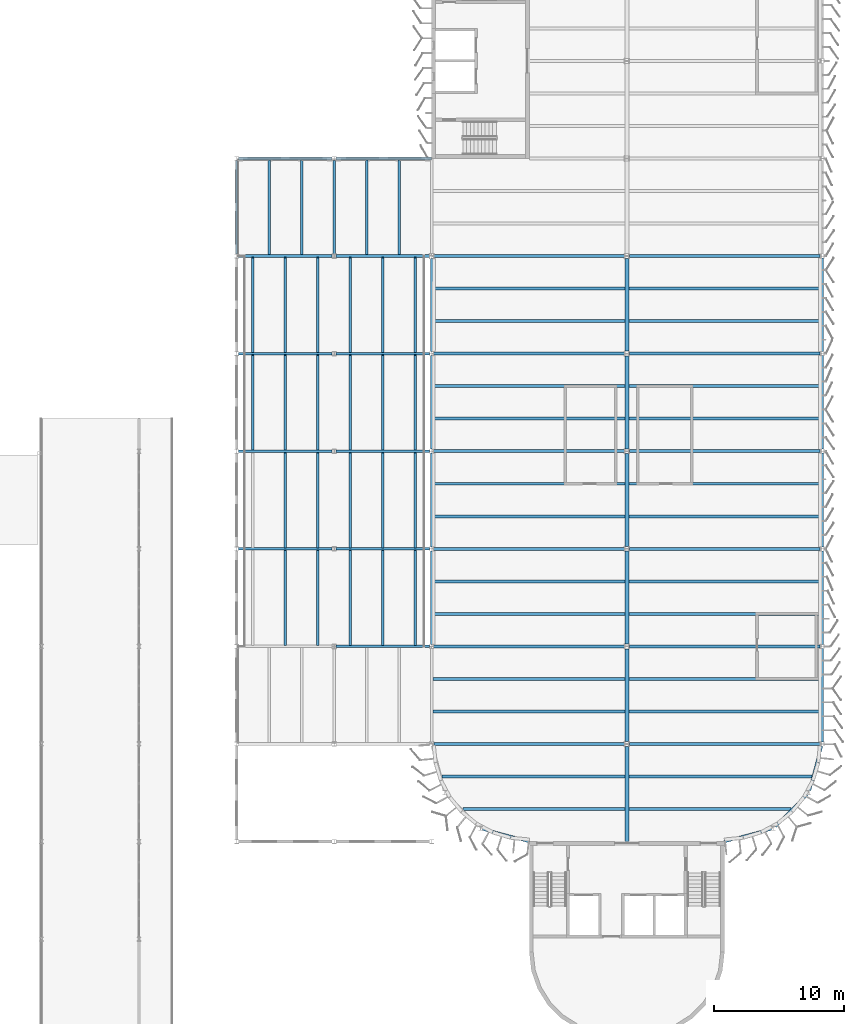
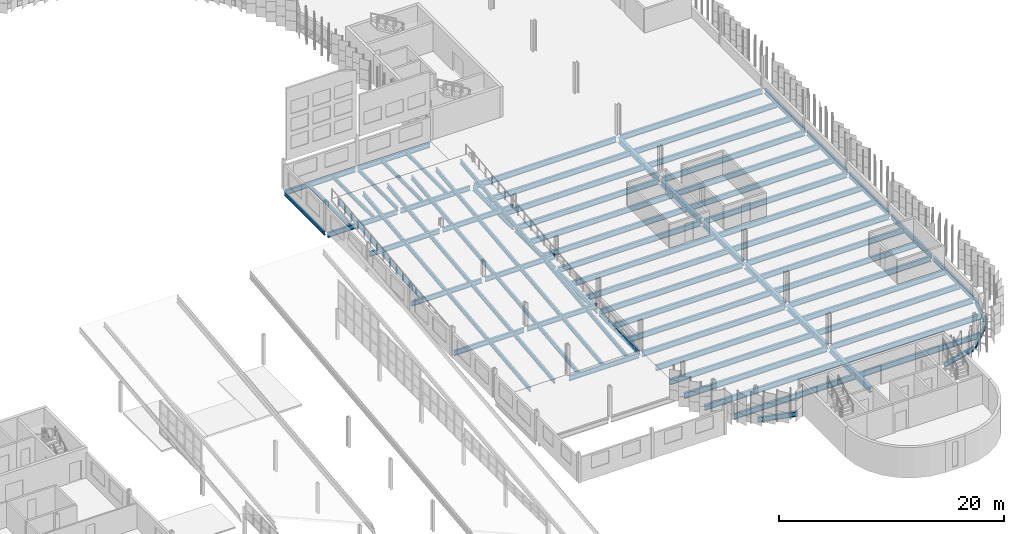
# One storey, part 42 of 199: 94 beams.
"""IFC4 building model written with IfcOpenShell, lengths in metres."""

from ifc_helpers import new_model, si_unit, direction, frame, origin, origin_2d, place, context, subcontext, project, spatial, i_section, extrude, material, material_profile, profile_set, type_object, element, save


model = new_model("IFC4")

# Units and contexts
model_context = context("Model", 3, precision=1e-05, world=origin(), true_north=direction((0.0, 1.0)))
body_context = subcontext(model_context, "Body", "Model", "MODEL_VIEW")
ifc_project = project(units=[si_unit("LENGTHUNIT", "METRE"), si_unit("AREAUNIT", "SQUARE_METRE"), si_unit("VOLUMEUNIT", "CUBIC_METRE"), si_unit("PLANEANGLEUNIT", "RADIAN"), si_unit("MASSUNIT", "GRAM", prefix="KILO")], contexts=[model_context])

# Site, building, storey
site_placement = place(None, origin())
site = spatial("IfcSite", under=ifc_project, at=site_placement, CompositionType="ELEMENT")
building_placement = place(site_placement, origin())
building = spatial("IfcBuilding", under=site, at=building_placement, Name="Parallax Yard Mobility Hub", CompositionType="ELEMENT")
storey_placement = place(building_placement, frame((0.0, 0.0, 9.89990234375)))
storey = spatial("IfcBuildingStorey", under=building, at=storey_placement, Name="L03", CompositionType="ELEMENT", Elevation=9.89990234375)

# Beams
ifc_material = material(Name="Steel ASTM A992", Category="steel")
ifc_material_profile_1 = material_profile(ifc_material, i_section(OverallWidth=0.177978515625, OverallDepth=0.406005859375, WebThickness=0.0078125, FlangeThickness=0.0126953125, FilletRadius=0.01025390625, at=origin_2d()), Name="W410x60")
ifc_profile_set_1 = profile_set([ifc_material_profile_1], Name="Steel ASTM A992")
beam_type_1 = type_object("IfcBeamType", Name="W410x60 edge beam", PredefinedType="SPANDREL", material=ifc_profile_set_1)
beam_1_placement = place(storey_placement, frame((180.0, 67.653564453125, -0.343017578125), z_axis=(0.0, 1.0, 0.0), x_axis=(-1.0, 0.0, 0.0)))
element("IfcBeam", 1, at=beam_1_placement, inside=storey, type_object=beam_type_1, Name="Edge beam SB1 level L03, line 25 of ramp house, span 2", PredefinedType="SPANDREL", context=body_context, shape_type="SweptSolid", body=[
    extrude(i_section(OverallWidth=0.177978515625, OverallDepth=0.406005859375, WebThickness=0.0078125, FlangeThickness=0.0126953125, FilletRadius=0.01025390625, at=origin_2d()), origin(), (0.0, 0.0, 1.0), 7.19287109375),
])
ifc_material_profile_2 = material_profile(ifc_material, i_section(OverallWidth=0.177978515625, OverallDepth=0.406005859375, WebThickness=0.0078125, FlangeThickness=0.0126953125, FilletRadius=0.01025390625, at=origin_2d()), Name="W410x60")
ifc_profile_set_2 = profile_set([ifc_material_profile_2], Name="Steel ASTM A992")
beam_type_2 = type_object("IfcBeamType", Name="W410x60 longitudinal beam", PredefinedType="BEAM", material=ifc_profile_set_2)
beam_2_placement = place(storey_placement, frame((187.5, 67.6640625, -0.343017578125), z_axis=(0.0, 1.0, 0.0), x_axis=(-1.0, 0.0, 0.0)))
element("IfcBeam", 2, at=beam_2_placement, inside=storey, type_object=beam_type_2, Name="Longitudinal beam SB2 level L03, line 26 of ramp house, span 2", PredefinedType="BEAM", context=body_context, shape_type="SweptSolid", body=[
    extrude(i_section(OverallWidth=0.177978515625, OverallDepth=0.406005859375, WebThickness=0.0078125, FlangeThickness=0.0126953125, FilletRadius=0.01025390625, at=origin_2d()), origin(), (0.0, 0.0, 1.0), 7.182373046875),
])
ifc_material_profile_3 = material_profile(ifc_material, i_section(OverallWidth=0.177978515625, OverallDepth=0.406005859375, WebThickness=0.0078125, FlangeThickness=0.0126953125, FilletRadius=0.01025390625, at=origin_2d()), Name="W410x60")
ifc_profile_set_3 = profile_set([ifc_material_profile_3], Name="Steel ASTM A992")
beam_type_3 = type_object("IfcBeamType", Name="W410x60 secondary beam", PredefinedType="JOIST", material=ifc_profile_set_3)
for number, where, z_axis, x_axis, name in (
    (3, (182.5, 67.6044921875, -0.343017578125), (0.0, 1.0, 0.0), (-1.0, 0.0, 0.0), "Secondary beam B1 level L03, 2.5 m east of line 25 of ramp house, span 2"),
    (4, (190.0, 67.6044921875, -0.343017578125), (0.0, 1.0, 0.0), (-1.0, 0.0, 0.0), "Secondary beam B1 level L03, 2.5 m east of line 26 of ramp house, span 2"),
    (5, (185.0, 67.6044921875, -0.343017578125), (0.0, 1.0, 0.0), (-1.0, 0.0, 0.0), "Secondary beam B1 level L03, 5 m east of line 25 of ramp house, span 2"),
    (6, (192.5, 67.6044921875, -0.343017578125), (0.0, 1.0, 0.0), (-1.0, 0.0, 0.0), "Secondary beam B1 level L03, 5 m east of line 26 of ramp house, span 2"),
):
    element("IfcBeam", number, at=place(storey_placement, frame(where, z_axis=z_axis, x_axis=x_axis)), inside=storey, type_object=beam_type_3, Name=name, PredefinedType="JOIST", context=body_context, shape_type="SweptSolid", body=[
        extrude(i_section(OverallWidth=0.177978515625, OverallDepth=0.406005859375, WebThickness=0.0078125, FlangeThickness=0.0126953125, FilletRadius=0.01025390625, at=origin_2d()), origin(), (0.0, 0.0, 1.0), 7.291015625),
    ])
ifc_material_profile_4 = material_profile(ifc_material, i_section(OverallWidth=0.19091796875, OverallDepth=0.45703125, WebThickness=0.009033203125, FlangeThickness=0.014404296875, FilletRadius=0.01025390625, at=origin_2d()), Name="W460x74")
ifc_profile_set_4 = profile_set([ifc_material_profile_4], Name="Steel ASTM A992")
beam_type_4 = type_object("IfcBeamType", Name="W460x74 ramp beam", PredefinedType="JOIST", material=ifc_profile_set_4)
for number, where, z_axis, x_axis, name in (
    (7, (181.25, 52.6044921875, 1.231689453125), (0.0, 0.994004500635, 0.109339163695), (-1.0, 0.0, 0.0), "Ramp beam RJ1 level L03, ramp RP4 of ramp house, span 3"),
    (8, (181.25, 60.1044921875, 2.056640625), (0.0, 0.994004500635, 0.109339163695), (-1.0, 0.0, 0.0), "Ramp beam RJ1 level L03, ramp RP4 of ramp house, span 4"),
    (9, (183.75, 37.6044921875, -0.418212890625), (0.0, 0.994004500635, 0.109339163695), (-1.0, 0.0, 0.0), "Ramp beam RJ1 level L03, ramp RP4 of ramp house, span 5"),
    (10, (183.75, 45.1044921875, 0.40673828125), (0.0, 0.994004500635, 0.109339163695), (-1.0, 0.0, 0.0), "Ramp beam RJ1 level L03, ramp RP4 of ramp house, span 6"),
    (11, (183.75, 52.6044921875, 1.231689453125), (0.0, 0.994004500635, 0.109339163695), (-1.0, 0.0, 0.0), "Ramp beam RJ1 level L03, ramp RP4 of ramp house, span 7"),
    (12, (183.75, 60.1044921875, 2.056640625), (0.0, 0.994004500635, 0.109339163695), (-1.0, 0.0, 0.0), "Ramp beam RJ1 level L03, ramp RP4 of ramp house, span 8"),
    (13, (186.25, 37.6044921875, -0.418212890625), (0.0, 0.994004500635, 0.109339163695), (-1.0, 0.0, 0.0), "Ramp beam RJ1 level L03, ramp RP4 of ramp house, span 9"),
    (14, (186.25, 45.1044921875, 0.40673828125), (0.0, 0.994004500635, 0.109339163695), (-1.0, 0.0, 0.0), "Ramp beam RJ1 level L03, ramp RP4 of ramp house, span 10"),
    (15, (186.25, 52.6044921875, 1.231689453125), (0.0, 0.994004500635, 0.109339163695), (-1.0, 0.0, 0.0), "Ramp beam RJ1 level L03, ramp RP4 of ramp house, span 11"),
    (16, (186.25, 60.1044921875, 2.056640625), (0.0, 0.994004500635, 0.109339163695), (-1.0, 0.0, 0.0), "Ramp beam RJ1 level L03, ramp RP4 of ramp house, span 12"),
    (17, (188.75, 37.6044921875, -0.418212890625), (0.0, 0.994004500635, 0.109339163695), (-1.0, 0.0, 0.0), "Ramp beam RJ1 level L03, ramp RP4 of ramp house, span 13"),
    (18, (188.75, 45.1044921875, 0.40673828125), (0.0, 0.994004500635, 0.109339163695), (-1.0, 0.0, 0.0), "Ramp beam RJ1 level L03, ramp RP4 of ramp house, span 14"),
    (19, (188.75, 52.6044921875, 1.231689453125), (0.0, 0.994004500635, 0.109339163695), (-1.0, 0.0, 0.0), "Ramp beam RJ1 level L03, ramp RP4 of ramp house, span 15"),
    (20, (188.75, 60.1044921875, 2.056640625), (0.0, 0.994004500635, 0.109339163695), (-1.0, 0.0, 0.0), "Ramp beam RJ1 level L03, ramp RP4 of ramp house, span 16"),
    (21, (191.25, 37.6044921875, -0.418212890625), (0.0, 0.994004500635, 0.109339163695), (-1.0, 0.0, 0.0), "Ramp beam RJ1 level L03, ramp RP4 of ramp house, span 17"),
    (22, (191.25, 45.1044921875, 0.40673828125), (0.0, 0.994004500635, 0.109339163695), (-1.0, 0.0, 0.0), "Ramp beam RJ1 level L03, ramp RP4 of ramp house, span 18"),
    (23, (191.25, 52.6044921875, 1.231689453125), (0.0, 0.994004500635, 0.109339163695), (-1.0, 0.0, 0.0), "Ramp beam RJ1 level L03, ramp RP4 of ramp house, span 19"),
    (24, (191.25, 60.1044921875, 2.056640625), (0.0, 0.994004500635, 0.109339163695), (-1.0, 0.0, 0.0), "Ramp beam RJ1 level L03, ramp RP4 of ramp house, span 20"),
    (25, (193.75, 37.6044921875, -0.418212890625), (0.0, 0.994004500635, 0.109339163695), (-1.0, 0.0, 0.0), "Ramp beam RJ1 level L03, ramp RP4 of ramp house, span 21"),
    (26, (193.75, 45.1044921875, 0.40673828125), (0.0, 0.994004500635, 0.109339163695), (-1.0, 0.0, 0.0), "Ramp beam RJ1 level L03, ramp RP4 of ramp house, span 22"),
    (27, (193.75, 52.6044921875, 1.231689453125), (0.0, 0.994004500635, 0.109339163695), (-1.0, 0.0, 0.0), "Ramp beam RJ1 level L03, ramp RP4 of ramp house, span 23"),
    (28, (193.75, 60.1044921875, 2.056640625), (0.0, 0.994004500635, 0.109339163695), (-1.0, 0.0, 0.0), "Ramp beam RJ1 level L03, ramp RP4 of ramp house, span 24"),
):
    element("IfcBeam", number, at=place(storey_placement, frame(where, z_axis=z_axis, x_axis=x_axis)), inside=storey, type_object=beam_type_4, Name=name, PredefinedType="JOIST", context=body_context, shape_type="SweptSolid", body=[
        extrude(i_section(OverallWidth=0.19091796875, OverallDepth=0.45703125, WebThickness=0.009033203125, FlangeThickness=0.014404296875, FilletRadius=0.01025390625, at=origin_2d()), origin(), (0.0, 0.0, 1.0), 7.3349609375),
    ])
ifc_material_profile_5 = material_profile(ifc_material, i_section(OverallWidth=0.208984375, OverallDepth=0.532958984375, WebThickness=0.01025390625, FlangeThickness=0.015625, FilletRadius=0.0126953125, at=origin_2d()), Name="W530x92")
ifc_profile_set_5 = profile_set([ifc_material_profile_5], Name="Steel ASTM A992")
beam_type_5 = type_object("IfcBeamType", Name="W530x92 edge beam", PredefinedType="SPANDREL", material=ifc_profile_set_5)
for number, where, z_axis, x_axis, name in (
    (29, (195.0, 37.652587890625, -0.406494140625), (0.0, 1.0, 0.0), (-1.0, 0.0, 0.0), "Edge beam SB5 level L03, line 27 of ramped parking decks, span 2"),
    (30, (195.0, 45.152587890625, -0.406494140625), (0.0, 1.0, 0.0), (-1.0, 0.0, 0.0), "Edge beam SB5 level L03, line 27 of ramped parking decks, span 3"),
    (31, (195.0, 52.652587890625, -0.406494140625), (0.0, 1.0, 0.0), (-1.0, 0.0, 0.0), "Edge beam SB5 level L03, line 27 of ramped parking decks, span 4"),
):
    element("IfcBeam", number, at=place(storey_placement, frame(where, z_axis=z_axis, x_axis=x_axis)), inside=storey, type_object=beam_type_5, Name=name, PredefinedType="SPANDREL", context=body_context, shape_type="SweptSolid", body=[
        extrude(i_section(OverallWidth=0.208984375, OverallDepth=0.532958984375, WebThickness=0.01025390625, FlangeThickness=0.015625, FilletRadius=0.0126953125, at=origin_2d()), origin(), (0.0, 0.0, 1.0), 7.19482421875),
    ])
beam_3_placement = place(storey_placement, frame((195.0, 60.152587890625, -0.406494140625), z_axis=(0.0, 1.0, 0.0), x_axis=(-1.0, 0.0, 0.0)))
element("IfcBeam", 32, at=beam_3_placement, inside=storey, type_object=beam_type_5, Name="Edge beam SB5 level L03, line 27 of ramped parking decks, span 5", PredefinedType="SPANDREL", context=body_context, shape_type="SweptSolid", body=[
    extrude(i_section(OverallWidth=0.208984375, OverallDepth=0.532958984375, WebThickness=0.01025390625, FlangeThickness=0.015625, FilletRadius=0.0126953125, at=origin_2d()), origin(), (0.0, 0.0, 1.0), 7.160888671875),
])
beam_4_placement = place(storey_placement, frame((225.0, 30.153564453125, -0.406494140625), z_axis=(0.0, 1.0, 0.0), x_axis=(-1.0, 0.0, 0.0)))
element("IfcBeam", 33, at=beam_4_placement, inside=storey, type_object=beam_type_5, Name="Edge beam SB5 level L03, line 31 of ramped parking decks, span 1", PredefinedType="SPANDREL", context=body_context, shape_type="SweptSolid", body=[
    extrude(i_section(OverallWidth=0.208984375, OverallDepth=0.532958984375, WebThickness=0.01025390625, FlangeThickness=0.015625, FilletRadius=0.0126953125, at=origin_2d()), origin(), (0.0, 0.0, 1.0), 7.19384765625),
])
for number, where, z_axis, x_axis, name in (
    (34, (225.0, 37.652587890625, -0.406494140625), (0.0, 1.0, 0.0), (-1.0, 0.0, 0.0), "Edge beam SB5 level L03, line 31 of ramped parking decks, span 2"),
    (35, (225.0, 45.152587890625, -0.406494140625), (0.0, 1.0, 0.0), (-1.0, 0.0, 0.0), "Edge beam SB5 level L03, line 31 of ramped parking decks, span 3"),
    (36, (225.0, 52.652587890625, -0.406494140625), (0.0, 1.0, 0.0), (-1.0, 0.0, 0.0), "Edge beam SB5 level L03, line 31 of ramped parking decks, span 4"),
    (37, (225.0, 60.152587890625, -0.406494140625), (0.0, 1.0, 0.0), (-1.0, 0.0, 0.0), "Edge beam SB5 level L03, line 31 of ramped parking decks, span 5"),
):
    element("IfcBeam", number, at=place(storey_placement, frame(where, z_axis=z_axis, x_axis=x_axis)), inside=storey, type_object=beam_type_5, Name=name, PredefinedType="SPANDREL", context=body_context, shape_type="SweptSolid", body=[
        extrude(i_section(OverallWidth=0.208984375, OverallDepth=0.532958984375, WebThickness=0.01025390625, FlangeThickness=0.015625, FilletRadius=0.0126953125, at=origin_2d()), origin(), (0.0, 0.0, 1.0), 7.19482421875),
    ])
for number, where, z_axis, x_axis, name in (
    (38, (198.902587890625, 23.4638671875, -0.406494140625), (0.965929617639, -0.258804895177, 0.0), (0.258804895177, 0.965929617639, 0.0), "Edge beam SB5 level L03, the south end of ramped parking decks, span 3"),
    (39, (217.5, 22.5, -0.406494140625), (0.965929617639, 0.258804895177, 0.0), (-0.258804895177, 0.965929617639, 0.0), "Edge beam SB5 level L03, the south end of ramped parking decks, span 4"),
):
    element("IfcBeam", number, at=place(storey_placement, frame(where, z_axis=z_axis, x_axis=x_axis)), inside=storey, type_object=beam_type_5, Name=name, PredefinedType="SPANDREL", context=body_context, shape_type="SweptSolid", body=[
        extrude(i_section(OverallWidth=0.208984375, OverallDepth=0.532958984375, WebThickness=0.01025390625, FlangeThickness=0.015625, FilletRadius=0.0126953125, at=origin_2d()), origin(), (0.0, 0.0, 1.0), 3.724365234375),
    ])
beam_5_placement = place(storey_placement, frame((221.402587890625, 23.6572265625, -0.406494140625), z_axis=(0.707106781187, 0.707106781187, 0.0), x_axis=(-0.707106781187, 0.707106781187, 0.0)))
element("IfcBeam", 40, at=beam_5_placement, inside=storey, type_object=beam_type_5, Name="Edge beam SB5 level L03, the south end of ramped parking decks, span 5", PredefinedType="SPANDREL", context=body_context, shape_type="SweptSolid", body=[
    extrude(i_section(OverallWidth=0.208984375, OverallDepth=0.532958984375, WebThickness=0.01025390625, FlangeThickness=0.015625, FilletRadius=0.0126953125, at=origin_2d()), origin(), (0.0, 0.0, 1.0), 3.450927734375),
])
beam_6_placement = place(storey_placement, frame((224.036376953125, 26.403564453125, -0.406494140625), z_axis=(0.258843360847, 0.965919310577, 0.0), x_axis=(-0.965919310577, 0.258843360847, 0.0)))
element("IfcBeam", 41, at=beam_6_placement, inside=storey, type_object=beam_type_5, Name="Edge beam SB5 level L03, the south end of ramped parking decks, span 6", PredefinedType="SPANDREL", context=body_context, shape_type="SweptSolid", body=[
    extrude(i_section(OverallWidth=0.208984375, OverallDepth=0.532958984375, WebThickness=0.01025390625, FlangeThickness=0.015625, FilletRadius=0.0126953125, at=origin_2d()), origin(), (0.0, 0.0, 1.0), 3.564453125),
])
ifc_material_profile_6 = material_profile(ifc_material, i_section(OverallWidth=0.208984375, OverallDepth=0.532958984375, WebThickness=0.01025390625, FlangeThickness=0.015625, FilletRadius=0.0126953125, at=origin_2d()), Name="W530x92")
ifc_profile_set_6 = profile_set([ifc_material_profile_6], Name="Steel ASTM A992")
beam_type_6 = type_object("IfcBeamType", Name="W530x92 girder", PredefinedType="BEAM", material=ifc_profile_set_6)
beam_7_placement = place(storey_placement, frame((187.655029296875, 37.5, -0.46630859375), z_axis=(1.0, 0.0, 0.0), x_axis=(0.0, 1.0, 0.0)))
element("IfcBeam", 42, at=beam_7_placement, inside=storey, type_object=beam_type_6, Name="Girder G2 level L03, line F of ramp house, span 2", PredefinedType="BEAM", context=body_context, shape_type="SweptSolid", body=[
    extrude(i_section(OverallWidth=0.208984375, OverallDepth=0.532958984375, WebThickness=0.01025390625, FlangeThickness=0.015625, FilletRadius=0.0126953125, at=origin_2d()), origin(), (0.0, 0.0, 1.0), 7.19140625),
])
beam_8_placement = place(storey_placement, frame((180.152587890625, 45.0, 0.34716796875), z_axis=(1.0, 0.0, 0.0), x_axis=(0.0, 1.0, 0.0)))
element("IfcBeam", 43, at=beam_8_placement, inside=storey, type_object=beam_type_6, Name="Girder G2 level L03, line G of ramp house, span 1", PredefinedType="BEAM", context=body_context, shape_type="SweptSolid", body=[
    extrude(i_section(OverallWidth=0.208984375, OverallDepth=0.532958984375, WebThickness=0.01025390625, FlangeThickness=0.015625, FilletRadius=0.0126953125, at=origin_2d()), origin(), (0.0, 0.0, 1.0), 7.1923828125),
])
beam_9_placement = place(storey_placement, frame((187.655029296875, 45.0, 0.34716796875), z_axis=(1.0, 0.0, 0.0), x_axis=(0.0, 1.0, 0.0)))
element("IfcBeam", 44, at=beam_9_placement, inside=storey, type_object=beam_type_6, Name="Girder G2 level L03, line G of ramp house, span 2", PredefinedType="BEAM", context=body_context, shape_type="SweptSolid", body=[
    extrude(i_section(OverallWidth=0.208984375, OverallDepth=0.532958984375, WebThickness=0.01025390625, FlangeThickness=0.015625, FilletRadius=0.0126953125, at=origin_2d()), origin(), (0.0, 0.0, 1.0), 7.19140625),
])
beam_10_placement = place(storey_placement, frame((180.152587890625, 52.5, 1.172119140625), z_axis=(1.0, 0.0, 0.0), x_axis=(0.0, 1.0, 0.0)))
element("IfcBeam", 45, at=beam_10_placement, inside=storey, type_object=beam_type_6, Name="Girder G2 level L03, line H of ramp house, span 1", PredefinedType="BEAM", context=body_context, shape_type="SweptSolid", body=[
    extrude(i_section(OverallWidth=0.208984375, OverallDepth=0.532958984375, WebThickness=0.01025390625, FlangeThickness=0.015625, FilletRadius=0.0126953125, at=origin_2d()), origin(), (0.0, 0.0, 1.0), 7.1923828125),
])
beam_11_placement = place(storey_placement, frame((187.655029296875, 52.5, 1.172119140625), z_axis=(1.0, 0.0, 0.0), x_axis=(0.0, 1.0, 0.0)))
element("IfcBeam", 46, at=beam_11_placement, inside=storey, type_object=beam_type_6, Name="Girder G2 level L03, line H of ramp house, span 2", PredefinedType="BEAM", context=body_context, shape_type="SweptSolid", body=[
    extrude(i_section(OverallWidth=0.208984375, OverallDepth=0.532958984375, WebThickness=0.01025390625, FlangeThickness=0.015625, FilletRadius=0.0126953125, at=origin_2d()), origin(), (0.0, 0.0, 1.0), 7.19140625),
])
beam_12_placement = place(storey_placement, frame((180.152587890625, 60.0, 1.9970703125), z_axis=(1.0, 0.0, 0.0), x_axis=(0.0, 1.0, 0.0)))
element("IfcBeam", 47, at=beam_12_placement, inside=storey, type_object=beam_type_6, Name="Girder G2 level L03, line J of ramp house, span 1", PredefinedType="BEAM", context=body_context, shape_type="SweptSolid", body=[
    extrude(i_section(OverallWidth=0.208984375, OverallDepth=0.532958984375, WebThickness=0.01025390625, FlangeThickness=0.015625, FilletRadius=0.0126953125, at=origin_2d()), origin(), (0.0, 0.0, 1.0), 7.1923828125),
])
beam_13_placement = place(storey_placement, frame((187.655029296875, 60.0, 1.9970703125), z_axis=(1.0, 0.0, 0.0), x_axis=(0.0, 1.0, 0.0)))
element("IfcBeam", 48, at=beam_13_placement, inside=storey, type_object=beam_type_6, Name="Girder G2 level L03, line J of ramp house, span 2", PredefinedType="BEAM", context=body_context, shape_type="SweptSolid", body=[
    extrude(i_section(OverallWidth=0.208984375, OverallDepth=0.532958984375, WebThickness=0.01025390625, FlangeThickness=0.015625, FilletRadius=0.0126953125, at=origin_2d()), origin(), (0.0, 0.0, 1.0), 7.19140625),
])
beam_14_placement = place(storey_placement, frame((180.152587890625, 67.5, -0.477783203125), z_axis=(1.0, 0.0, 0.0), x_axis=(0.0, 1.0, 0.0)))
element("IfcBeam", 49, at=beam_14_placement, inside=storey, type_object=beam_type_6, Name="Girder G2 level L03, line K of ramp house, span 1", PredefinedType="BEAM", context=body_context, shape_type="SweptSolid", body=[
    extrude(i_section(OverallWidth=0.208984375, OverallDepth=0.532958984375, WebThickness=0.01025390625, FlangeThickness=0.015625, FilletRadius=0.0126953125, at=origin_2d()), origin(), (0.0, 0.0, 1.0), 7.1923828125),
])
beam_15_placement = place(storey_placement, frame((187.655029296875, 67.5, -0.477783203125), z_axis=(1.0, 0.0, 0.0), x_axis=(0.0, 1.0, 0.0)))
element("IfcBeam", 50, at=beam_15_placement, inside=storey, type_object=beam_type_6, Name="Girder G2 level L03, line K of ramp house, span 2", PredefinedType="BEAM", context=body_context, shape_type="SweptSolid", body=[
    extrude(i_section(OverallWidth=0.208984375, OverallDepth=0.532958984375, WebThickness=0.01025390625, FlangeThickness=0.015625, FilletRadius=0.0126953125, at=origin_2d()), origin(), (0.0, 0.0, 1.0), 7.160888671875),
])
beam_16_placement = place(storey_placement, frame((180.152587890625, 75.0, -0.406494140625), z_axis=(1.0, 0.0, 0.0), x_axis=(0.0, 1.0, 0.0)))
element("IfcBeam", 51, at=beam_16_placement, inside=storey, type_object=beam_type_6, Name="Girder G2 level L03, line L of ramp house, span 1", PredefinedType="BEAM", context=body_context, shape_type="SweptSolid", body=[
    extrude(i_section(OverallWidth=0.208984375, OverallDepth=0.532958984375, WebThickness=0.01025390625, FlangeThickness=0.015625, FilletRadius=0.0126953125, at=origin_2d()), origin(), (0.0, 0.0, 1.0), 7.19482421875),
])
beam_17_placement = place(storey_placement, frame((187.652587890625, 75.0, -0.406494140625), z_axis=(1.0, 0.0, 0.0), x_axis=(0.0, 1.0, 0.0)))
element("IfcBeam", 52, at=beam_17_placement, inside=storey, type_object=beam_type_6, Name="Girder G2 level L03, line L of ramp house, span 2", PredefinedType="BEAM", context=body_context, shape_type="SweptSolid", body=[
    extrude(i_section(OverallWidth=0.208984375, OverallDepth=0.532958984375, WebThickness=0.01025390625, FlangeThickness=0.015625, FilletRadius=0.0126953125, at=origin_2d()), origin(), (0.0, 0.0, 1.0), 7.347412109375),
])
ifc_material_profile_7 = material_profile(ifc_material, i_section(OverallWidth=0.22802734375, OverallDepth=0.60205078125, WebThickness=0.010498046875, FlangeThickness=0.014892578125, FilletRadius=0.0126953125, at=origin_2d()), Name="W610x101")
ifc_profile_set_7 = profile_set([ifc_material_profile_7], Name="Steel ASTM A992")
beam_type_7 = type_object("IfcBeamType", Name="W610x101 secondary beam", PredefinedType="JOIST", material=ifc_profile_set_7)
for number, where, z_axis, x_axis, name in (
    (53, (197.402587890625, 25.0, -0.44091796875), (1.0, 0.0, 0.0), (0.0, 1.0, 0.0), "Secondary beam B3 level L03, 2.5 m north of line D of ramped parking decks, span 1"),
    (54, (210.16259765625, 25.0, -0.44091796875), (1.0, 0.0, 0.0), (0.0, 1.0, 0.0), "Secondary beam B3 level L03, 2.5 m north of line D of ramped parking decks, span 2"),
):
    element("IfcBeam", number, at=place(storey_placement, frame(where, z_axis=z_axis, x_axis=x_axis)), inside=storey, type_object=beam_type_7, Name=name, PredefinedType="JOIST", context=body_context, shape_type="SweptSolid", body=[
        extrude(i_section(OverallWidth=0.22802734375, OverallDepth=0.60205078125, WebThickness=0.010498046875, FlangeThickness=0.014892578125, FilletRadius=0.0126953125, at=origin_2d()), origin(), (0.0, 0.0, 1.0), 12.434814453125),
    ])
for number, where, z_axis, x_axis, name in (
    (55, (195.1044921875, 32.5, -0.44091796875), (1.0, 0.0, 0.0), (0.0, 1.0, 0.0), "Secondary beam B3 level L03, 2.5 m north of line E of ramped parking decks, span 1"),
    (56, (210.16259765625, 32.5, -0.44091796875), (1.0, 0.0, 0.0), (0.0, 1.0, 0.0), "Secondary beam B3 level L03, 2.5 m north of line E of ramped parking decks, span 2"),
    (57, (195.1044921875, 40.0, -0.44091796875), (1.0, 0.0, 0.0), (0.0, 1.0, 0.0), "Secondary beam B3 level L03, 2.5 m north of line F of ramped parking decks, span 1"),
    (58, (210.16259765625, 40.0, -0.44091796875), (1.0, 0.0, 0.0), (0.0, 1.0, 0.0), "Secondary beam B3 level L03, 2.5 m north of line F of ramped parking decks, span 2"),
    (59, (195.1044921875, 47.5, -0.44091796875), (1.0, 0.0, 0.0), (0.0, 1.0, 0.0), "Secondary beam B3 level L03, 2.5 m north of line G of ramped parking decks, span 1"),
    (60, (210.16259765625, 47.5, -0.44091796875), (1.0, 0.0, 0.0), (0.0, 1.0, 0.0), "Secondary beam B3 level L03, 2.5 m north of line G of ramped parking decks, span 2"),
    (61, (195.1044921875, 55.0, -0.44091796875), (1.0, 0.0, 0.0), (0.0, 1.0, 0.0), "Secondary beam B3 level L03, 2.5 m north of line H of ramped parking decks, span 1"),
    (62, (210.16259765625, 55.0, -0.44091796875), (1.0, 0.0, 0.0), (0.0, 1.0, 0.0), "Secondary beam B3 level L03, 2.5 m north of line H of ramped parking decks, span 2"),
    (63, (195.1044921875, 62.5, -0.44091796875), (1.0, 0.0, 0.0), (0.0, 1.0, 0.0), "Secondary beam B3 level L03, 2.5 m north of line J of ramped parking decks, span 1"),
    (64, (210.16259765625, 62.5, -0.44091796875), (1.0, 0.0, 0.0), (0.0, 1.0, 0.0), "Secondary beam B3 level L03, 2.5 m north of line J of ramped parking decks, span 2"),
):
    element("IfcBeam", number, at=place(storey_placement, frame(where, z_axis=z_axis, x_axis=x_axis)), inside=storey, type_object=beam_type_7, Name=name, PredefinedType="JOIST", context=body_context, shape_type="SweptSolid", body=[
        extrude(i_section(OverallWidth=0.22802734375, OverallDepth=0.60205078125, WebThickness=0.010498046875, FlangeThickness=0.014892578125, FilletRadius=0.0126953125, at=origin_2d()), origin(), (0.0, 0.0, 1.0), 14.73291015625),
    ])
for number, where, z_axis, x_axis, name in (
    (65, (195.778076171875, 27.5, -0.44091796875), (1.0, 0.0, 0.0), (0.0, 1.0, 0.0), "Secondary beam B3 level L03, 5 m north of line D of ramped parking decks, span 1"),
    (66, (210.16259765625, 27.5, -0.44091796875), (1.0, 0.0, 0.0), (0.0, 1.0, 0.0), "Secondary beam B3 level L03, 5 m north of line D of ramped parking decks, span 2"),
):
    element("IfcBeam", number, at=place(storey_placement, frame(where, z_axis=z_axis, x_axis=x_axis)), inside=storey, type_object=beam_type_7, Name=name, PredefinedType="JOIST", context=body_context, shape_type="SweptSolid", body=[
        extrude(i_section(OverallWidth=0.22802734375, OverallDepth=0.60205078125, WebThickness=0.010498046875, FlangeThickness=0.014892578125, FilletRadius=0.0126953125, at=origin_2d()), origin(), (0.0, 0.0, 1.0), 14.059326171875),
    ])
for number, where, z_axis, x_axis, name in (
    (67, (195.1044921875, 35.0, -0.44091796875), (1.0, 0.0, 0.0), (0.0, 1.0, 0.0), "Secondary beam B3 level L03, 5 m north of line E of ramped parking decks, span 1"),
    (68, (210.16259765625, 35.0, -0.44091796875), (1.0, 0.0, 0.0), (0.0, 1.0, 0.0), "Secondary beam B3 level L03, 5 m north of line E of ramped parking decks, span 2"),
    (69, (195.1044921875, 42.5, -0.44091796875), (1.0, 0.0, 0.0), (0.0, 1.0, 0.0), "Secondary beam B3 level L03, 5 m north of line F of ramped parking decks, span 1"),
    (70, (210.16259765625, 42.5, -0.44091796875), (1.0, 0.0, 0.0), (0.0, 1.0, 0.0), "Secondary beam B3 level L03, 5 m north of line F of ramped parking decks, span 2"),
    (71, (195.1044921875, 50.0, -0.44091796875), (1.0, 0.0, 0.0), (0.0, 1.0, 0.0), "Secondary beam B3 level L03, 5 m north of line G of ramped parking decks, span 1"),
    (72, (210.16259765625, 50.0, -0.44091796875), (1.0, 0.0, 0.0), (0.0, 1.0, 0.0), "Secondary beam B3 level L03, 5 m north of line G of ramped parking decks, span 2"),
    (73, (195.1044921875, 57.5, -0.44091796875), (1.0, 0.0, 0.0), (0.0, 1.0, 0.0), "Secondary beam B3 level L03, 5 m north of line H of ramped parking decks, span 1"),
    (74, (210.16259765625, 57.5, -0.44091796875), (1.0, 0.0, 0.0), (0.0, 1.0, 0.0), "Secondary beam B3 level L03, 5 m north of line H of ramped parking decks, span 2"),
    (75, (195.1044921875, 65.0, -0.44091796875), (1.0, 0.0, 0.0), (0.0, 1.0, 0.0), "Secondary beam B3 level L03, 5 m north of line J of ramped parking decks, span 1"),
    (76, (210.16259765625, 65.0, -0.44091796875), (1.0, 0.0, 0.0), (0.0, 1.0, 0.0), "Secondary beam B3 level L03, 5 m north of line J of ramped parking decks, span 2"),
):
    element("IfcBeam", number, at=place(storey_placement, frame(where, z_axis=z_axis, x_axis=x_axis)), inside=storey, type_object=beam_type_7, Name=name, PredefinedType="JOIST", context=body_context, shape_type="SweptSolid", body=[
        extrude(i_section(OverallWidth=0.22802734375, OverallDepth=0.60205078125, WebThickness=0.010498046875, FlangeThickness=0.014892578125, FilletRadius=0.0126953125, at=origin_2d()), origin(), (0.0, 0.0, 1.0), 14.73291015625),
    ])
ifc_material_profile_8 = material_profile(ifc_material, i_section(OverallWidth=0.22900390625, OverallDepth=0.612060546875, WebThickness=0.011962890625, FlangeThickness=0.01953125, FilletRadius=0.0126953125, at=origin_2d()), Name="W610x125")
ifc_profile_set_8 = profile_set([ifc_material_profile_8], Name="Steel ASTM A992")
beam_type_8 = type_object("IfcBeamType", Name="W610x125 girder", PredefinedType="BEAM", material=ifc_profile_set_8)
for number, where, z_axis, x_axis, name in (
    (77, (195.158935546875, 30.0, -0.44580078125), (1.0, 0.0, 0.0), (0.0, 1.0, 0.0), "Girder G3 level L03, line E of ramped parking decks, span 1"),
    (78, (210.1904296875, 30.0, -0.44580078125), (1.0, 0.0, 0.0), (0.0, 1.0, 0.0), "Girder G3 level L03, line E of ramped parking decks, span 2"),
):
    element("IfcBeam", number, at=place(storey_placement, frame(where, z_axis=z_axis, x_axis=x_axis)), inside=storey, type_object=beam_type_8, Name=name, PredefinedType="BEAM", context=body_context, shape_type="SweptSolid", body=[
        extrude(i_section(OverallWidth=0.22900390625, OverallDepth=0.612060546875, WebThickness=0.011962890625, FlangeThickness=0.01953125, FilletRadius=0.0126953125, at=origin_2d()), origin(), (0.0, 0.0, 1.0), 14.650634765625),
    ])
for number, where, z_axis, x_axis, name in (
    (79, (195.153564453125, 37.5, -0.44580078125), (1.0, 0.0, 0.0), (0.0, 1.0, 0.0), "Girder G3 level L03, line F of ramped parking decks, span 1"),
    (80, (210.18408203125, 37.5, -0.44580078125), (1.0, 0.0, 0.0), (0.0, 1.0, 0.0), "Girder G3 level L03, line F of ramped parking decks, span 2"),
    (81, (195.153564453125, 45.0, -0.44580078125), (1.0, 0.0, 0.0), (0.0, 1.0, 0.0), "Girder G3 level L03, line G of ramped parking decks, span 1"),
    (82, (210.18408203125, 45.0, -0.44580078125), (1.0, 0.0, 0.0), (0.0, 1.0, 0.0), "Girder G3 level L03, line G of ramped parking decks, span 2"),
    (83, (195.153564453125, 52.5, -0.44580078125), (1.0, 0.0, 0.0), (0.0, 1.0, 0.0), "Girder G3 level L03, line H of ramped parking decks, span 1"),
    (84, (210.18408203125, 52.5, -0.44580078125), (1.0, 0.0, 0.0), (0.0, 1.0, 0.0), "Girder G3 level L03, line H of ramped parking decks, span 2"),
    (85, (195.153564453125, 60.0, -0.44580078125), (1.0, 0.0, 0.0), (0.0, 1.0, 0.0), "Girder G3 level L03, line J of ramped parking decks, span 1"),
    (86, (210.18408203125, 60.0, -0.44580078125), (1.0, 0.0, 0.0), (0.0, 1.0, 0.0), "Girder G3 level L03, line J of ramped parking decks, span 2"),
):
    element("IfcBeam", number, at=place(storey_placement, frame(where, z_axis=z_axis, x_axis=x_axis)), inside=storey, type_object=beam_type_8, Name=name, PredefinedType="BEAM", context=body_context, shape_type="SweptSolid", body=[
        extrude(i_section(OverallWidth=0.22900390625, OverallDepth=0.612060546875, WebThickness=0.011962890625, FlangeThickness=0.01953125, FilletRadius=0.0126953125, at=origin_2d()), origin(), (0.0, 0.0, 1.0), 14.662353515625),
    ])
beam_18_placement = place(storey_placement, frame((195.18408203125, 67.5, -0.44580078125), z_axis=(1.0, 0.0, 0.0), x_axis=(0.0, 1.0, 0.0)))
element("IfcBeam", 87, at=beam_18_placement, inside=storey, type_object=beam_type_8, Name="Girder G3 level L03, line K of ramped parking decks, span 1", PredefinedType="BEAM", context=body_context, shape_type="SweptSolid", body=[
    extrude(i_section(OverallWidth=0.22900390625, OverallDepth=0.612060546875, WebThickness=0.011962890625, FlangeThickness=0.01953125, FilletRadius=0.0126953125, at=origin_2d()), origin(), (0.0, 0.0, 1.0), 14.6318359375),
])
beam_19_placement = place(storey_placement, frame((210.18408203125, 67.5, -0.44580078125), z_axis=(1.0, 0.0, 0.0), x_axis=(0.0, 1.0, 0.0)))
element("IfcBeam", 88, at=beam_19_placement, inside=storey, type_object=beam_type_8, Name="Girder G3 level L03, line K of ramped parking decks, span 2", PredefinedType="BEAM", context=body_context, shape_type="SweptSolid", body=[
    extrude(i_section(OverallWidth=0.22900390625, OverallDepth=0.612060546875, WebThickness=0.011962890625, FlangeThickness=0.01953125, FilletRadius=0.0126953125, at=origin_2d()), origin(), (0.0, 0.0, 1.0), 14.662353515625),
])
ifc_material_profile_9 = material_profile(ifc_material, i_section(OverallWidth=0.324951171875, OverallDepth=0.612060546875, WebThickness=0.0126953125, FlangeThickness=0.01904296875, FilletRadius=0.0126953125, at=origin_2d()), Name="W610x155")
ifc_profile_set_9 = profile_set([ifc_material_profile_9], Name="Steel ASTM A992")
beam_type_9 = type_object("IfcBeamType", Name="W610x155 longitudinal beam", PredefinedType="BEAM", material=ifc_profile_set_9)
beam_20_placement = place(storey_placement, frame((210.0, 22.5, -0.44580078125), z_axis=(0.0, 1.0, 0.0), x_axis=(-1.0, 0.0, 0.0)))
element("IfcBeam", 89, at=beam_20_placement, inside=storey, type_object=beam_type_9, Name="Longitudinal beam SB8 level L03, line 29 of ramped parking decks, span 1", PredefinedType="BEAM", context=body_context, shape_type="SweptSolid", body=[
    extrude(i_section(OverallWidth=0.324951171875, OverallDepth=0.612060546875, WebThickness=0.0126953125, FlangeThickness=0.01904296875, FilletRadius=0.0126953125, at=origin_2d()), origin(), (0.0, 0.0, 1.0), 7.302001953125),
])
beam_21_placement = place(storey_placement, frame((210.0, 30.197998046875, -0.44580078125), z_axis=(0.0, 1.0, 0.0), x_axis=(-1.0, 0.0, 0.0)))
element("IfcBeam", 90, at=beam_21_placement, inside=storey, type_object=beam_type_9, Name="Longitudinal beam SB8 level L03, line 29 of ramped parking decks, span 2", PredefinedType="BEAM", context=body_context, shape_type="SweptSolid", body=[
    extrude(i_section(OverallWidth=0.324951171875, OverallDepth=0.612060546875, WebThickness=0.0126953125, FlangeThickness=0.01904296875, FilletRadius=0.0126953125, at=origin_2d()), origin(), (0.0, 0.0, 1.0), 7.115478515625),
])
for number, where, z_axis, x_axis, name in (
    (91, (210.0, 37.6865234375, -0.44580078125), (0.0, 1.0, 0.0), (-1.0, 0.0, 0.0), "Longitudinal beam SB8 level L03, line 29 of ramped parking decks, span 3"),
    (92, (210.0, 45.1865234375, -0.44580078125), (0.0, 1.0, 0.0), (-1.0, 0.0, 0.0), "Longitudinal beam SB8 level L03, line 29 of ramped parking decks, span 4"),
    (93, (210.0, 52.6865234375, -0.44580078125), (0.0, 1.0, 0.0), (-1.0, 0.0, 0.0), "Longitudinal beam SB8 level L03, line 29 of ramped parking decks, span 5"),
    (94, (210.0, 60.1865234375, -0.44580078125), (0.0, 1.0, 0.0), (-1.0, 0.0, 0.0), "Longitudinal beam SB8 level L03, line 29 of ramped parking decks, span 6"),
):
    element("IfcBeam", number, at=place(storey_placement, frame(where, z_axis=z_axis, x_axis=x_axis)), inside=storey, type_object=beam_type_9, Name=name, PredefinedType="BEAM", context=body_context, shape_type="SweptSolid", body=[
        extrude(i_section(OverallWidth=0.324951171875, OverallDepth=0.612060546875, WebThickness=0.0126953125, FlangeThickness=0.01904296875, FilletRadius=0.0126953125, at=origin_2d()), origin(), (0.0, 0.0, 1.0), 7.126953125),
    ])

save(model, "model.ifc")
